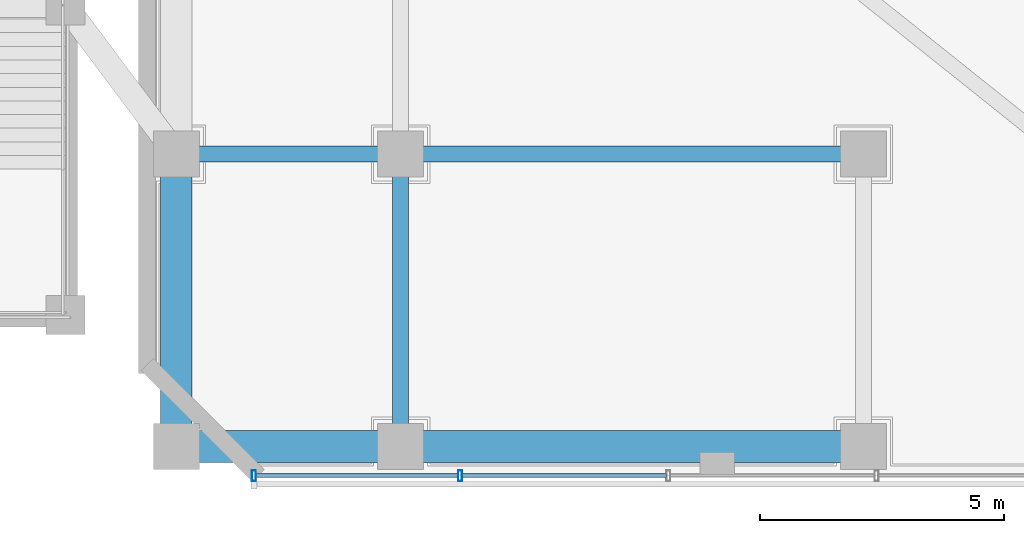
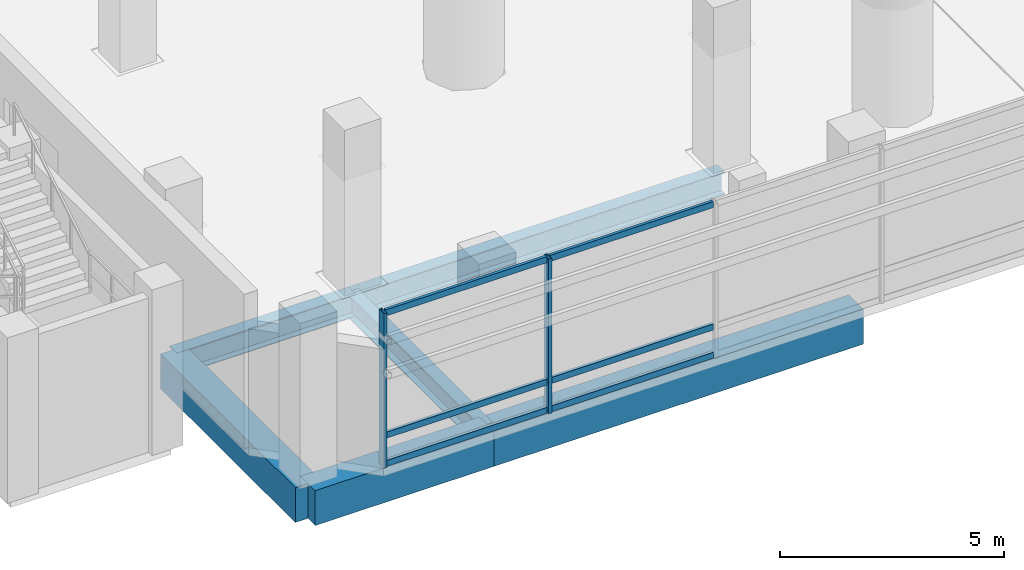
# One storey, part 2 of 36: 8 members, 6 beams, 1 element without a shape of its own.
"""IFC4 building model written with IfcOpenShell, lengths in metres."""

from ifc_helpers import new_model, si_unit, direction, frame, origin, origin_2d, place, context, subcontext, project, spatial, rectangle, hollow_rectangle, i_section, extrude, source, transform, mapped, material, material_profile, profile_set, type_object, element, aggregate, save


model = new_model("IFC4")

# Units and contexts
model_context = context("Model", 3, precision=1e-05, world=origin(), true_north=direction((-0.2419218956, 0.970295726276)))
body_context = subcontext(model_context, "Body", "Model", "MODEL_VIEW")
ifc_project = project(units=[si_unit("LENGTHUNIT", "METRE"), si_unit("AREAUNIT", "SQUARE_METRE"), si_unit("VOLUMEUNIT", "CUBIC_METRE"), si_unit("PLANEANGLEUNIT", "RADIAN"), si_unit("MASSUNIT", "GRAM", prefix="KILO")], contexts=[model_context])

# Site, building, storey
site_placement = place(None, origin())
site = spatial("IfcSite", under=ifc_project, at=site_placement, CompositionType="ELEMENT")
building_placement = place(site_placement, origin())
building = spatial("IfcBuilding", under=site, at=building_placement, Name="Cobrevalo Terracotta Tower", CompositionType="ELEMENT")
storey_placement = place(building_placement, frame((0.0, 0.0, 9.89990234375)))
storey = spatial("IfcBuildingStorey", under=building, at=storey_placement, Name="L02", CompositionType="ELEMENT", Elevation=9.89990234375)

# Beams
ifc_material_1 = material(Name="Steel S355", Category="steel")
ifc_material_profile_1 = material_profile(ifc_material_1, i_section(OverallWidth=0.324951171875, OverallDepth=0.615966796875, WebThickness=0.013916015625, FlangeThickness=0.021484375, at=origin_2d()), Name="W 610x174")
ifc_profile_set_1 = profile_set([ifc_material_profile_1], Name="Steel S355")
beam_type_1 = type_object("IfcBeamType", Name="Structural Beam W 610x174 (Steel S355)", PredefinedType="BEAM", material=ifc_profile_set_1)
beam_1_placement = place(storey_placement, frame((4.39990234375, 8.800048828125, -0.60791015625), z_axis=(1.0, 0.0, 0.0), x_axis=(0.0, 1.0, 0.0)))
element("IfcBeam", 1, at=beam_1_placement, inside=storey, type_object=beam_type_1, Name="L02 podium grid beam G1-GB to G2-GB", PredefinedType="BEAM", context=body_context, shape_type="SweptSolid", body=[
    extrude(i_section(OverallWidth=0.324951171875, OverallDepth=0.615966796875, WebThickness=0.013916015625, FlangeThickness=0.021484375, at=origin_2d()), origin(), (0.0, 0.0, 1.0), 4.60009765625),
])
beam_2_placement = place(storey_placement, frame((9.0, 2.800048828125, -0.60791015625), z_axis=(0.0, 1.0, 0.0), x_axis=(-1.0, 0.0, 0.0)))
element("IfcBeam", 2, at=beam_2_placement, inside=storey, type_object=beam_type_1, Name="L02 podium grid beam G2-GA to G2-GB", PredefinedType="BEAM", context=body_context, shape_type="SweptSolid", body=[
    extrude(i_section(OverallWidth=0.324951171875, OverallDepth=0.615966796875, WebThickness=0.013916015625, FlangeThickness=0.021484375, at=origin_2d()), origin(), (0.0, 0.0, 1.0), 6.0),
])
beam_3_placement = place(storey_placement, frame((9.0, 8.800048828125, -0.60791015625), z_axis=(1.0, 0.0, 0.0), x_axis=(0.0, 1.0, 0.0)))
element("IfcBeam", 3, at=beam_3_placement, inside=storey, type_object=beam_type_1, Name="L02 podium grid beam G2-GB to G3-GB", PredefinedType="BEAM", context=body_context, shape_type="SweptSolid", body=[
    extrude(i_section(OverallWidth=0.324951171875, OverallDepth=0.615966796875, WebThickness=0.013916015625, FlangeThickness=0.021484375, at=origin_2d()), origin(), (0.0, 0.0, 1.0), 9.5),
])
ifc_material_2 = material(Name="Concrete C50", Category="concrete")
ifc_material_profile_2 = material_profile(ifc_material_2, rectangle(XDim=0.64990234375, YDim=0.949951171875, at=origin_2d()), Name="RC BM 650x950")
ifc_profile_set_2 = profile_set([ifc_material_profile_2], Name="Concrete C50")
beam_type_2 = type_object("IfcBeamType", Name="Structural Spandrel RC BM 650x950 (Concrete C50)", PredefinedType="SPANDREL", material=ifc_profile_set_2)
beam_4_placement = place(storey_placement, frame((4.39990234375, 2.800048828125, -0.77490234375), z_axis=(0.0, 1.0, 0.0), x_axis=(-1.0, 0.0, 0.0)))
element("IfcBeam", 4, at=beam_4_placement, inside=storey, type_object=beam_type_2, Name="L02 podium grid beam G1-GA to G1-GB", PredefinedType="SPANDREL", context=body_context, shape_type="SweptSolid", body=[
    extrude(rectangle(XDim=0.64990234375, YDim=0.949951171875, at=origin_2d()), origin(), (0.0, 0.0, 1.0), 6.0),
])
beam_5_placement = place(storey_placement, frame((4.39990234375, 2.800048828125, -0.77490234375), z_axis=(1.0, 0.0, 0.0), x_axis=(0.0, 1.0, 0.0)))
element("IfcBeam", 5, at=beam_5_placement, inside=storey, type_object=beam_type_2, Name="L02 podium grid beam G1-GA to G2-GA", PredefinedType="SPANDREL", context=body_context, shape_type="SweptSolid", body=[
    extrude(rectangle(XDim=0.64990234375, YDim=0.949951171875, at=origin_2d()), origin(), (0.0, 0.0, 1.0), 4.60009765625),
])
beam_6_placement = place(storey_placement, frame((9.0, 2.800048828125, -0.77490234375), z_axis=(1.0, 0.0, 0.0), x_axis=(0.0, 1.0, 0.0)))
element("IfcBeam", 6, at=beam_6_placement, inside=storey, type_object=beam_type_2, Name="L02 podium grid beam G2-GA to G3-GA", PredefinedType="SPANDREL", context=body_context, shape_type="SweptSolid", body=[
    extrude(rectangle(XDim=0.64990234375, YDim=0.949951171875, at=origin_2d()), origin(), (0.0, 0.0, 1.0), 9.5),
])

# Curtain wall, members
ifc_material_3 = material(Name="Anodized aluminium", Category="aluminium")
curtain_wall_type = type_object("IfcCurtainWallType", Name="Podium gallery & conservatory curtain wall CW-S2", PredefinedType="NOTDEFINED", material=ifc_material_3)
curtain_wall_placement = place(storey_placement, origin())
curtain_wall = element("IfcCurtainWall", 7, at=curtain_wall_placement, inside=storey, type_object=curtain_wall_type, Name="L02 curtain wall CW-POD-L02-S", PredefinedType="NOTDEFINED")
ifc_material_profile_3 = material_profile(ifc_material_3, hollow_rectangle(XDim=0.080078125, YDim=0.219970703125, WallThickness=0.0048828125, at=origin_2d()), Name="CWM 80x220")
ifc_profile_set_3 = profile_set([ifc_material_profile_3], Name="Anodized aluminium")
member_type_1 = type_object("IfcMemberType", Name="Storefront & atrium aluminium mullion 80x220", PredefinedType="MULLION", material=ifc_profile_set_3)
shared_shape_1 = source(origin(), body_context, "Body", "SweptSolid", [
    extrude(hollow_rectangle(XDim=0.080078125, YDim=0.219970703125, WallThickness=0.0048828125, at=origin_2d()), origin(), (0.0, 0.0, 1.0), 4.2001953125),
])
member_1_placement = place(storey_placement, frame((5.989990234375, 2.199951171875, 0.0), z_axis=(0.0, 0.0, 1.0), x_axis=(1.0, 0.0, 0.0)))
member_1 = element("IfcMember", 8, at=member_1_placement, type_object=member_type_1, Name="CW-POD-L02-S vertical mullion 01", PredefinedType="MULLION", context=body_context, shape_type="MappedRepresentation", body=[
    mapped(shared_shape_1, transform((0.0, 0.0, 0.0), scale=1.0)),
])
member_2_placement = place(storey_placement, frame((10.223388671875, 2.199951171875, 0.0), z_axis=(0.0, 0.0, 1.0), x_axis=(1.0, 0.0, 0.0)))
member_2 = element("IfcMember", 9, at=member_2_placement, type_object=member_type_1, Name="CW-POD-L02-S vertical mullion 02", PredefinedType="MULLION", context=body_context, shape_type="MappedRepresentation", body=[
    mapped(shared_shape_1, transform((0.0, 0.0, 0.0), scale=1.0)),
])
ifc_material_profile_4 = material_profile(ifc_material_3, hollow_rectangle(XDim=0.080078125, YDim=0.1650390625, WallThickness=0.00439453125, at=origin_2d()), Name="CWT 80x165")
ifc_profile_set_4 = profile_set([ifc_material_profile_4], Name="Anodized aluminium")
member_type_2 = type_object("IfcMemberType", Name="Storefront & atrium aluminium transom 80x165", PredefinedType="USERDEFINED", material=ifc_profile_set_4)
shared_shape_2 = source(origin(), body_context, "Body", "SweptSolid", [
    extrude(hollow_rectangle(XDim=0.080078125, YDim=0.1650390625, WallThickness=0.00439453125, at=origin_2d()), origin(), (0.0, 0.0, 1.0), 4.1533203125),
])
member_3_placement = place(storey_placement, frame((6.030029296875, 2.199951171875, 0.050048828125), z_axis=(1.0, 0.0, 0.0), x_axis=(0.0, 1.0, 0.0)))
member_3 = element("IfcMember", 10, at=member_3_placement, type_object=member_type_2, Name="CW-POD-L02-S transom B01-T1", ObjectType="TRANSOM", PredefinedType="USERDEFINED", context=body_context, shape_type="MappedRepresentation", body=[
    mapped(shared_shape_2, transform((0.0, 0.0, 0.0), scale=1.0)),
])
member_4_placement = place(storey_placement, frame((6.030029296875, 2.199951171875, 0.820068359375), z_axis=(1.0, 0.0, 0.0), x_axis=(0.0, 1.0, 0.0)))
member_4 = element("IfcMember", 11, at=member_4_placement, type_object=member_type_2, Name="CW-POD-L02-S transom B01-T2", ObjectType="TRANSOM", PredefinedType="USERDEFINED", context=body_context, shape_type="MappedRepresentation", body=[
    mapped(shared_shape_2, transform((0.0, 0.0, 0.0), scale=1.0)),
])
member_5_placement = place(storey_placement, frame((6.030029296875, 2.199951171875, 4.150146484375), z_axis=(1.0, 0.0, 0.0), x_axis=(0.0, 1.0, 0.0)))
member_5 = element("IfcMember", 12, at=member_5_placement, type_object=member_type_2, Name="CW-POD-L02-S transom B01-T3", ObjectType="TRANSOM", PredefinedType="USERDEFINED", context=body_context, shape_type="MappedRepresentation", body=[
    mapped(shared_shape_2, transform((0.0, 0.0, 0.0), scale=1.0)),
])
shared_shape_3 = source(origin(), body_context, "Body", "SweptSolid", [
    extrude(hollow_rectangle(XDim=0.080078125, YDim=0.1650390625, WallThickness=0.00439453125, at=origin_2d()), origin(), (0.0, 0.0, 1.0), 4.193359375),
])
member_6_placement = place(storey_placement, frame((10.263427734375, 2.199951171875, 0.050048828125), z_axis=(1.0, 0.0, 0.0), x_axis=(0.0, 1.0, 0.0)))
member_6 = element("IfcMember", 13, at=member_6_placement, type_object=member_type_2, Name="CW-POD-L02-S transom B02-T1", ObjectType="TRANSOM", PredefinedType="USERDEFINED", context=body_context, shape_type="MappedRepresentation", body=[
    mapped(shared_shape_3, transform((0.0, 0.0, 0.0), scale=1.0)),
])
member_7_placement = place(storey_placement, frame((10.263427734375, 2.199951171875, 0.820068359375), z_axis=(1.0, 0.0, 0.0), x_axis=(0.0, 1.0, 0.0)))
member_7 = element("IfcMember", 14, at=member_7_placement, type_object=member_type_2, Name="CW-POD-L02-S transom B02-T2", ObjectType="TRANSOM", PredefinedType="USERDEFINED", context=body_context, shape_type="MappedRepresentation", body=[
    mapped(shared_shape_3, transform((0.0, 0.0, 0.0), scale=1.0)),
])
member_8_placement = place(storey_placement, frame((10.263427734375, 2.199951171875, 4.150146484375), z_axis=(1.0, 0.0, 0.0), x_axis=(0.0, 1.0, 0.0)))
member_8 = element("IfcMember", 15, at=member_8_placement, type_object=member_type_2, Name="CW-POD-L02-S transom B02-T3", ObjectType="TRANSOM", PredefinedType="USERDEFINED", context=body_context, shape_type="MappedRepresentation", body=[
    mapped(shared_shape_3, transform((0.0, 0.0, 0.0), scale=1.0)),
])
aggregate(curtain_wall, [member_1, member_2, member_3, member_4, member_5, member_6, member_7, member_8])

save(model, "model.ifc")
